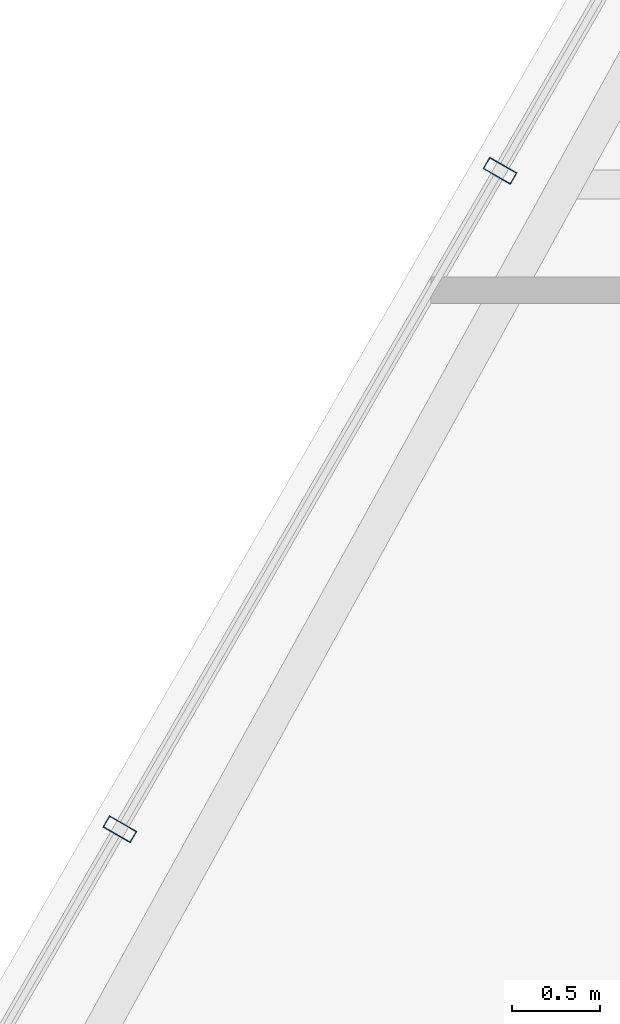
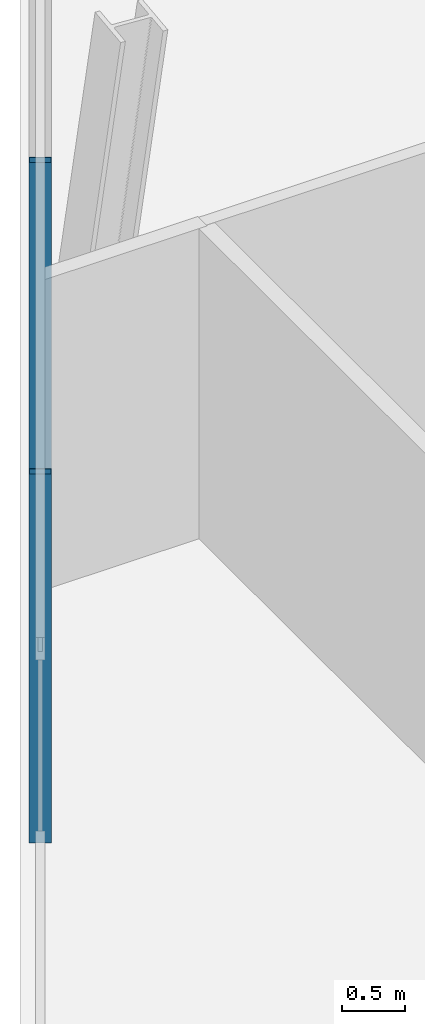
# One storey, part 10 of 30: 2 members, 1 element without a shape of its own.
"""IFC4 building model written with IfcOpenShell, lengths in metres."""

import ifcopenshell
import ifcopenshell.guid

model = None  # the IFC model being written
_history = None  # IfcOwnerHistory: only IFC2X3 demands one
_inside = {}  # id of a spatial element -> (the spatial element, [elements in it])
_under = {}  # id of a project, library or spatial element -> (it, [spatial elements below it])
_declared = {}  # id of a project -> (the project, [libraries it declares])
_typed = {}  # id of a type object -> (the type object, [elements of that type])
_made_of = {}  # id of a material, layer set ... -> (it, [elements and type objects made of it])


def new_model(schema):
    """Start an empty IFC model of exactly this schema.

    Asked for "IFC4X3", IfcOpenShell would pick the latest addendum, in which some entities
    have other attributes; the version numbers below select the first issue.
    IFC2X3 requires an IfcOwnerHistory on every rooted entity: one is made here for all.
    """
    global model, _history
    if schema == "IFC4X3":
        model = ifcopenshell.file(schema_version=(4, 3, 0, 0))
    else:
        model = ifcopenshell.file(schema=schema)
    _inside.clear()
    _under.clear()
    _declared.clear()
    _typed.clear()
    _made_of.clear()
    _history = None
    if model.schema == "IFC2X3":
        org = make("IfcOrganization", Name="unknown")
        user = make(
            "IfcPersonAndOrganization",
            ThePerson=make("IfcPerson", FamilyName="unknown"),
            TheOrganization=org,
        )
        app = make(
            "IfcApplication",
            ApplicationDeveloper=org,
            Version="unknown",
            ApplicationFullName="unknown",
            ApplicationIdentifier="unknown",
        )
        _history = make(
            "IfcOwnerHistory",
            OwningUser=user,
            OwningApplication=app,
            ChangeAction="ADDED",
            CreationDate=0,
        )
    return model


def make(cls, **values):
    """One entity of the class cls with the attributes given. An attribute that is None is left unset."""
    return model.create_entity(
        cls, **{name: value for name, value in values.items() if value is not None}
    )


def rooted(cls, **values):
    """An entity with a GlobalId (a new one), such as an element, a storey or a relation."""
    return make(cls, GlobalId=ifcopenshell.guid.new(), OwnerHistory=_history, **values)


def si_unit(unit_type, name, prefix=None):
    """IfcSIUnit, for example si_unit("LENGTHUNIT", "METRE", prefix="MILLI")."""
    return make("IfcSIUnit", UnitType=unit_type, Prefix=prefix, Name=name)


def assignment(units):
    """IfcUnitAssignment: the units of a project."""
    return None if units is None else make("IfcUnitAssignment", Units=units)


def point(xyz):
    """IfcCartesianPoint."""
    return None if xyz is None else make("IfcCartesianPoint", Coordinates=xyz)


def direction(xyz):
    """IfcDirection."""
    return None if xyz is None else make("IfcDirection", DirectionRatios=xyz)


def frame(location, z_axis=None, x_axis=None):
    """IfcAxis2Placement3D, a coordinate frame: its origin and axes. An axis left out is left unset."""
    return make(
        "IfcAxis2Placement3D",
        Location=point(location),
        Axis=direction(z_axis),
        RefDirection=direction(x_axis),
    )


def frame_2d(location, x_axis=None):
    """IfcAxis2Placement2D, a coordinate frame in the plane: its origin and x axis."""
    return make(
        "IfcAxis2Placement2D", Location=point(location), RefDirection=direction(x_axis)
    )


def origin():
    """The frame at (0, 0, 0) with its axes left unset."""
    return frame((0.0, 0.0, 0.0))


def origin_2d():
    """The frame at (0, 0) in the plane with its x axis left unset."""
    return frame_2d((0.0, 0.0))


def place(relative_to, where):
    """IfcLocalPlacement: puts the frame where relative to a parent placement (None: the world)."""
    return make(
        "IfcLocalPlacement", PlacementRelTo=relative_to, RelativePlacement=where
    )


def context(
    kind, dimensions, precision=None, world=None, true_north=None, identifier=None
):
    """IfcGeometricRepresentationContext, for example the 3D "Model" context."""
    return make(
        "IfcGeometricRepresentationContext",
        ContextIdentifier=identifier,
        ContextType=kind,
        CoordinateSpaceDimension=dimensions,
        Precision=precision,
        WorldCoordinateSystem=world,
        TrueNorth=true_north,
    )


def subcontext(parent, identifier, kind, view, scale=None):
    """IfcGeometricRepresentationSubContext, for example "Body" below "Model"."""
    return make(
        "IfcGeometricRepresentationSubContext",
        ContextIdentifier=identifier,
        ContextType=kind,
        ParentContext=parent,
        TargetScale=scale,
        TargetView=view,
    )


def project(units=None, contexts=None):
    """IfcProject with its units and contexts."""
    return rooted(
        "IfcProject",
        Name="project",
        RepresentationContexts=contexts,
        UnitsInContext=assignment(units),
    )


def spatial(cls, under=None, at=None, **own):
    """A site, building, storey or space (cls), placed at a placement, below another one or the project."""
    s = rooted(cls, ObjectPlacement=at, **own)
    if under is not None:
        _under.setdefault(under.id(), (under, []))[1].append(s)
    return s


def profile(cls, at=None, kind="AREA", **sizes):
    """A parametric profile (cls). Its sizes go by their IFC names, for example OverallWidth=200.0."""
    return make(cls, ProfileType=kind, Position=at, **sizes)


def hollow_rectangle(**sizes):
    """IfcRectangleHollowProfileDef."""
    return profile("IfcRectangleHollowProfileDef", **sizes)


def extrude(swept, where, along, depth):
    """IfcExtrudedAreaSolid: the profile swept, set in the frame where, extruded along a direction by depth."""
    return make(
        "IfcExtrudedAreaSolid",
        SweptArea=swept,
        Position=where,
        ExtrudedDirection=direction(along),
        Depth=depth,
    )


def shape(context_of_items, identifier, shape_type, items):
    """IfcShapeRepresentation: the items that make up one representation, for example the "Body"."""
    return make(
        "IfcShapeRepresentation",
        ContextOfItems=context_of_items,
        RepresentationIdentifier=identifier,
        RepresentationType=shape_type,
        Items=items,
    )


def material(Name=None, Category=None):
    """IfcMaterial."""
    return make("IfcMaterial", Name=Name, Category=Category)


def layer(
    of_material, thickness, ventilated=None, Name=None, Category=None, Priority=None
):
    """IfcMaterialLayer: one layer of a wall or slab, of a material (None: an air gap)."""
    return make(
        "IfcMaterialLayer",
        Material=of_material,
        LayerThickness=thickness,
        IsVentilated=ventilated,
        Name=Name,
        Category=Category,
        Priority=Priority,
    )


def layer_set(layers, Name=None):
    """IfcMaterialLayerSet."""
    return make("IfcMaterialLayerSet", MaterialLayers=layers, LayerSetName=Name)


def material_profile(
    of_material, cross_section, Name=None, Category=None, Priority=None
):
    """IfcMaterialProfile: a cross section and its material."""
    return make(
        "IfcMaterialProfile",
        Name=Name,
        Material=of_material,
        Profile=cross_section,
        Priority=Priority,
        Category=Category,
    )


def profile_set(profiles, Name=None, composite=None):
    """IfcMaterialProfileSet."""
    return make(
        "IfcMaterialProfileSet",
        Name=Name,
        MaterialProfiles=profiles,
        CompositeProfile=composite,
    )


def made_of(thing, what):
    """Note that an element or type object is made of a material, layer set ...; save() writes the relation."""
    if what is not None:
        _made_of.setdefault(what.id(), (what, []))[1].append(thing)
    return thing


def type_object(cls, material=None, **own):
    """A type object (cls), such as IfcWallType, which elements share."""
    return made_of(rooted(cls, **own), material)


def element(
    cls,
    number,
    at=None,
    inside=None,
    cuts=None,
    type_object=None,
    material=None,
    context=None,
    identifier="Body",
    shape_type=None,
    held_by="IfcProductDefinitionShape",
    body=None,
    shapes=None,
    **own,
):
    """One element of the class cls, such as IfcWall. Its Tag is "e" and its number.

    at: its placement. inside: the storey or other place that contains it. cuts: it is an
    opening in that element (IfcRelVoidsElement). A single representation is given by context,
    identifier, shape_type and body (its items); several are given by shapes. held_by: the class
    of the entity that holds the representations. save() writes the other relations.
    """
    e = rooted(cls, Tag="e%d" % number, ObjectPlacement=at, **own)
    if body is not None:
        shapes = [shape(context, identifier, shape_type, body)]
    if shapes is not None:
        e.Representation = make(held_by, Representations=shapes)
    if inside is not None:
        _inside.setdefault(inside.id(), (inside, []))[1].append(e)
    if cuts is not None:
        rooted(
            "IfcRelVoidsElement", RelatingBuildingElement=cuts, RelatedOpeningElement=e
        )
    if type_object is not None:
        _typed.setdefault(type_object.id(), (type_object, []))[1].append(e)
    return made_of(e, material)


def aggregate(whole, parts):
    """IfcRelAggregates: a whole, such as a stair, and the parts it consists of."""
    return rooted("IfcRelAggregates", RelatingObject=whole, RelatedObjects=parts)


def save(model, path):
    """Write the relations noted so far, then the file.

    IfcRelAggregates (storeys below a building ...), IfcRelContainedInSpatialStructure (elements
    in a storey), IfcRelDefinesByType, IfcRelAssociatesMaterial and IfcRelDeclares: one each for
    every whole, place, type object, material and project.
    """
    for whole, parts in _under.values():
        aggregate(whole, parts)
    for where, things in _inside.values():
        rooted(
            "IfcRelContainedInSpatialStructure",
            RelatedElements=things,
            RelatingStructure=where,
        )
    for kind, things in _typed.values():
        rooted("IfcRelDefinesByType", RelatedObjects=things, RelatingType=kind)
    for what, things in _made_of.values():
        rooted("IfcRelAssociatesMaterial", RelatedObjects=things, RelatingMaterial=what)
    for by, libraries in _declared.values():
        rooted("IfcRelDeclares", RelatingContext=by, RelatedDefinitions=libraries)
    model.write(path)


model = new_model("IFC4")

# Units and contexts
model_context = context("Model", 3, precision=1e-05, world=origin(), true_north=direction((0.0, 1.0)))
body_context = subcontext(model_context, "Body", "Model", "MODEL_VIEW")
ifc_project = project(units=[si_unit("LENGTHUNIT", "METRE"), si_unit("AREAUNIT", "SQUARE_METRE"), si_unit("VOLUMEUNIT", "CUBIC_METRE"), si_unit("PLANEANGLEUNIT", "RADIAN"), si_unit("MASSUNIT", "GRAM", prefix="KILO")], contexts=[model_context])

# Site, building, storey
site_placement = place(None, origin())
site = spatial("IfcSite", under=ifc_project, at=site_placement, CompositionType="ELEMENT")
building_placement = place(site_placement, origin())
building = spatial("IfcBuilding", under=site, at=building_placement, Name="Ndaravel Arena Tower", CompositionType="ELEMENT")
storey_placement = place(building_placement, frame((0.0, 0.0, 225.60009765625)))
storey = spatial("IfcBuildingStorey", under=building, at=storey_placement, Name="L54", CompositionType="ELEMENT", Elevation=225.60009765625)

# Curtain wall, members
ifc_material_1 = material(Name="Aluminium", Category="aluminium")
ifc_layer = layer(ifc_material_1, 0.179931640625)
ifc_layer_set = layer_set([ifc_layer], Name="Aluminium")
curtain_wall_type = type_object("IfcCurtainWallType", Name="CW-SYS-03", PredefinedType="NOTDEFINED", material=ifc_layer_set)
curtain_wall_placement = place(storey_placement, origin())
curtain_wall = element("IfcCurtainWall", 1, at=curtain_wall_placement, inside=storey, type_object=curtain_wall_type, Name="L54 Faceted Crystal Curtain Wall CW-L54-E05", PredefinedType="NOTDEFINED")
ifc_material_2 = material(Name="Aluminium", Category="aluminium")
ifc_material_profile = material_profile(ifc_material_2, hollow_rectangle(XDim=0.074951171875, YDim=0.179931640625, WallThickness=0.00390625, at=origin_2d()), Name="CW MULLION 75x180x4")
ifc_profile_set = profile_set([ifc_material_profile], Name="Aluminium")
member_type = type_object("IfcMemberType", Name="MEM-CW-MUL180", PredefinedType="MULLION", material=ifc_profile_set)
member_1_placement = place(storey_placement, frame((27.302001953125, 26.8779296875, 0.0), z_axis=(0.0, 0.0, 1.0), x_axis=(-0.5, -0.866025403784, 0.0)))
member_1 = element("IfcMember", 2, at=member_1_placement, type_object=member_type, Name="CW-L54-E05 Mullion 05", PredefinedType="MULLION", context=body_context, shape_type="SweptSolid", body=[
    extrude(hollow_rectangle(XDim=0.074951171875, YDim=0.179931640625, WallThickness=0.00390625, at=origin_2d()), origin(), (0.0, 0.0, 1.0), 3.579833984375),
])
member_2_placement = place(storey_placement, frame((25.142578125, 23.137939453125, 0.0), z_axis=(0.0, 0.0, 1.0), x_axis=(-0.5, -0.866025403784, 0.0)))
member_2 = element("IfcMember", 3, at=member_2_placement, type_object=member_type, Name="CW-L54-E05 Mullion 06", PredefinedType="MULLION", context=body_context, shape_type="SweptSolid", body=[
    extrude(hollow_rectangle(XDim=0.074951171875, YDim=0.179931640625, WallThickness=0.00390625, at=origin_2d()), origin(), (0.0, 0.0, 1.0), 3.579833984375),
])
aggregate(curtain_wall, [member_1, member_2])

save(model, "model.ifc")
